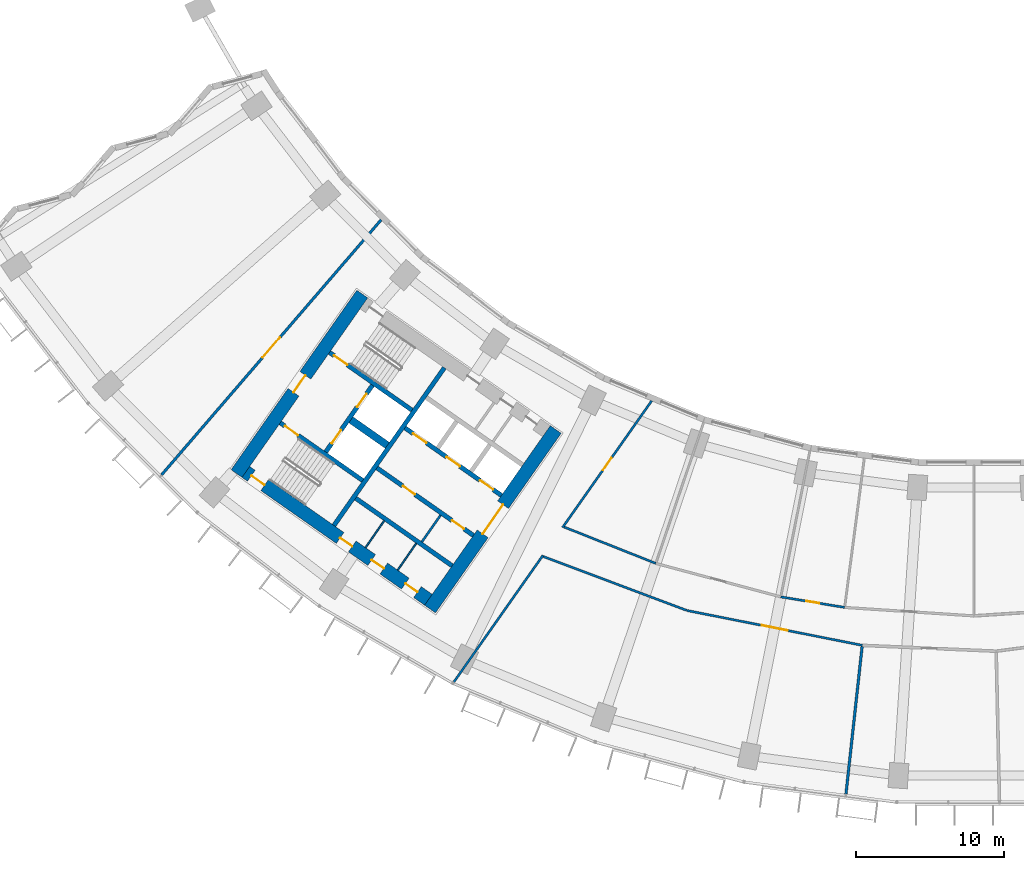
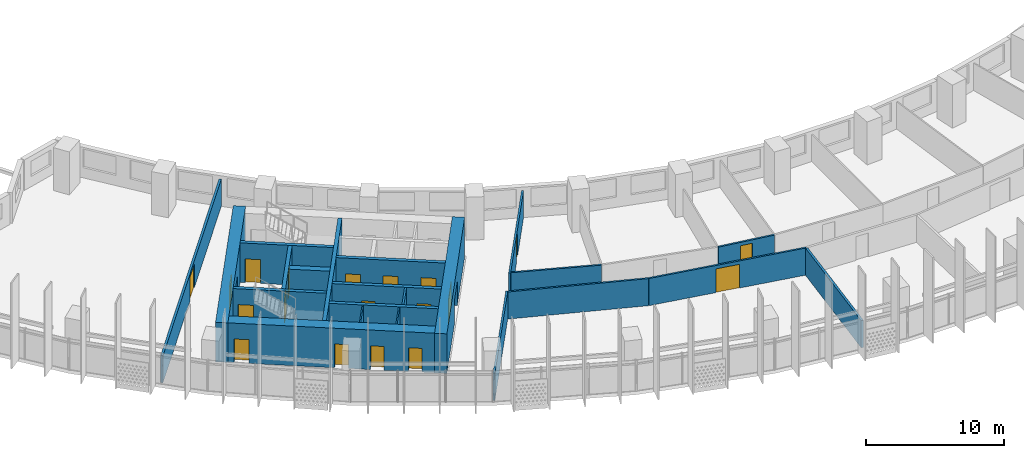
# One storey, part 3 of 31: 22 walls, 19 doors, 19 openings.
"""IFC4 building model written with IfcOpenShell, lengths in metres."""

from ifc_helpers import new_model, si_unit, direction, frame, frame_2d, origin, place, context, subcontext, project, spatial, rectangle, extrude, material, layer, layer_set, type_object, element, fill, save


model = new_model("IFC4")

# Units and contexts
model_context = context("Model", 3, precision=1e-05, world=origin(), true_north=direction((0.0, 1.0)))
body_context = subcontext(model_context, "Body", "Model", "MODEL_VIEW")
ifc_project = project(units=[si_unit("LENGTHUNIT", "METRE"), si_unit("AREAUNIT", "SQUARE_METRE"), si_unit("VOLUMEUNIT", "CUBIC_METRE"), si_unit("PLANEANGLEUNIT", "RADIAN"), si_unit("MASSUNIT", "GRAM", prefix="KILO")], contexts=[model_context])

# Site, building, storey
site_placement = place(None, origin())
site = spatial("IfcSite", under=ifc_project, at=site_placement, CompositionType="ELEMENT")
building_placement = place(site_placement, origin())
building = spatial("IfcBuilding", under=site, at=building_placement, Name="Qamariyya Broadcast Tower", CompositionType="ELEMENT")
storey_placement = place(building_placement, frame((0.0, 0.0, 55.699951171875)))
storey = spatial("IfcBuildingStorey", under=building, at=storey_placement, Name="L10", CompositionType="ELEMENT", Elevation=55.699951171875)

# Wall, opening, door
ifc_material_1 = material(Name="Concrete C70/85", Category="concrete")
ifc_layer_1 = layer(ifc_material_1, 0.89990234375)
ifc_layer_set_1 = layer_set([ifc_layer_1], Name="Core wall 900 mm Concrete C70/85")
wall_type_1 = type_object("IfcWallType", Name="Core wall 900 mm Concrete C70/85", PredefinedType="SHEAR", material=ifc_layer_set_1)
wall_1_placement = place(storey_placement, frame((-36.716796875, -66.3369140625, 0.0), z_axis=(0.0, 0.0, 1.0), x_axis=(0.573577477574, 0.819151315216, 0.0)))
wall_1 = element("IfcWall", 1, at=wall_1_placement, inside=storey, type_object=wall_type_1, Name="k-W-L10-WA", PredefinedType="SHEAR", context=body_context, shape_type="SweptSolid", body=[
    extrude(rectangle(XDim=14.800048828125, YDim=0.89990234375, at=frame_2d((7.39990234375, 0.0))), origin(), (0.0, 0.0, 1.0), 3.5),
])
opening_1_placement = place(wall_1_placement, frame((6.199951171875, 0.0, 0.0)))
opening_1 = element("IfcOpeningElement", 2, at=opening_1_placement, cuts=wall_1, Name="Opening KD3-W1", PredefinedType="OPENING", context=body_context, shape_type="SweptSolid", body=[
    extrude(rectangle(XDim=2.39990234375, YDim=2.10009765625, at=frame_2d((1.199951171875, 1.050048828125))), frame((0.0, 0.4599609375, 0.0), z_axis=(0.0, -1.0, 0.0), x_axis=(1.0, 0.0, 0.0)), (0.0, 0.0, 1.0), 0.919921875),
])
ifc_material_2 = material(Name="Steel fire-resisting door leaf", Category="steel")
door_type_1 = type_object("IfcDoorType", Name="Lift lobby door KD3", OperationType="DOUBLE_DOOR_SINGLE_SWING", PredefinedType="DOOR", material=ifc_material_2)
door_1_placement = place(opening_1_placement, origin())
door_1 = element("IfcDoor", 3, at=door_1_placement, inside=storey, type_object=door_type_1, Name="k-W-L10-WA-D1", OperationType="DOUBLE_DOOR_SINGLE_SWING", OverallHeight=2.10009765625, OverallWidth=2.39990234375, PredefinedType="DOOR", context=body_context, shape_type="SweptSolid", body=[
    extrude(rectangle(XDim=2.39990234375, YDim=2.10009765625, at=frame_2d((1.199951171875, 1.050048828125))), frame((0.0, 0.02490234375, 0.0), z_axis=(0.0, -1.0, 0.0), x_axis=(1.0, 0.0, 0.0)), (0.0, 0.0, 1.0), 0.050048828125),
])
fill(opening_1, door_1)

wall_2_placement = place(storey_placement, frame((-49.778564453125, -57.191162109375, 0.0), z_axis=(0.0, 0.0, 1.0), x_axis=(0.573577477574, 0.819151315216, 0.0)))
wall_2 = element("IfcWall", 4, at=wall_2_placement, inside=storey, type_object=wall_type_1, Name="k-W-L10-WH", PredefinedType="SHEAR", context=body_context, shape_type="SweptSolid", body=[
    extrude(rectangle(XDim=14.800048828125, YDim=0.89990234375, at=frame_2d((7.39990234375, 0.0))), origin(), (0.0, 0.0, 1.0), 3.5),
])
opening_2_placement = place(wall_2_placement, frame((6.699951171875, 0.0, 0.0)))
opening_2 = element("IfcOpeningElement", 5, at=opening_2_placement, cuts=wall_2, Name="Opening KD2-W1", PredefinedType="OPENING", context=body_context, shape_type="SweptSolid", body=[
    extrude(rectangle(XDim=1.39990234375, YDim=2.10009765625, at=frame_2d((0.699951171875, 1.050048828125))), frame((0.0, 0.4599609375, 0.0), z_axis=(0.0, -1.0, 0.0), x_axis=(1.0, 0.0, 0.0)), (0.0, 0.0, 1.0), 0.919921875),
])
door_type_2 = type_object("IfcDoorType", Name="Fire-fighting lobby door KD2", OperationType="DOUBLE_DOOR_SINGLE_SWING", PredefinedType="DOOR", material=ifc_material_2)
door_2_placement = place(opening_2_placement, origin())
door_2 = element("IfcDoor", 6, at=door_2_placement, inside=storey, type_object=door_type_2, Name="k-W-L10-WH-D15", OperationType="DOUBLE_DOOR_SINGLE_SWING", OverallHeight=2.10009765625, OverallWidth=1.39990234375, PredefinedType="DOOR", context=body_context, shape_type="SweptSolid", body=[
    extrude(rectangle(XDim=1.39990234375, YDim=2.10009765625, at=frame_2d((0.699951171875, 1.050048828125))), frame((0.0, 0.02490234375, 0.0), z_axis=(0.0, -1.0, 0.0), x_axis=(1.0, 0.0, 0.0)), (0.0, 0.0, 1.0), 0.050048828125),
])
fill(opening_2, door_2)

# Wall, openings, doors
wall_3_placement = place(storey_placement, frame((-36.827392578125, -65.710205078125, 0.0), z_axis=(0.0, 0.0, 1.0), x_axis=(-0.819153391756, 0.573574511963, 0.0)))
wall_3 = element("IfcWall", 7, at=wall_3_placement, inside=storey, type_object=wall_type_1, Name="k-W-L10-WO", PredefinedType="SHEAR", context=body_context, shape_type="SweptSolid", body=[
    extrude(rectangle(XDim=15.04541015625, YDim=0.89990234375, at=frame_2d((7.522705078125, 0.0))), origin(), (0.0, 0.0, 1.0), 3.5),
])
opening_3_placement = place(wall_3_placement, frame((0.89990234375, 0.0, 0.0)))
opening_3 = element("IfcOpeningElement", 8, at=opening_3_placement, cuts=wall_3, Name="Opening KD4-W2", PredefinedType="OPENING", context=body_context, shape_type="SweptSolid", body=[
    extrude(rectangle(XDim=1.0, YDim=2.10009765625, at=frame_2d((0.5, 1.050048828125))), frame((0.0, 0.4599609375, 0.0), z_axis=(0.0, -1.0, 0.0), x_axis=(1.0, 0.0, 0.0)), (0.0, 0.0, 1.0), 0.919921875),
])
opening_4_placement = place(wall_3_placement, frame((3.675048828125, 0.0, 0.0)))
opening_4 = element("IfcOpeningElement", 9, at=opening_4_placement, cuts=wall_3, Name="Opening KD4-W3", PredefinedType="OPENING", context=body_context, shape_type="SweptSolid", body=[
    extrude(rectangle(XDim=1.0, YDim=2.10009765625, at=frame_2d((0.5, 1.050048828125))), frame((0.0, 0.4599609375, 0.0), z_axis=(0.0, -1.0, 0.0), x_axis=(1.0, 0.0, 0.0)), (0.0, 0.0, 1.0), 0.919921875),
])
opening_5_placement = place(wall_3_placement, frame((6.27490234375, 0.0, 0.0)))
opening_5 = element("IfcOpeningElement", 10, at=opening_5_placement, cuts=wall_3, Name="Opening KD4-W4", PredefinedType="OPENING", context=body_context, shape_type="SweptSolid", body=[
    extrude(rectangle(XDim=1.0, YDim=2.10009765625, at=frame_2d((0.5, 1.050048828125))), frame((0.0, 0.4599609375, 0.0), z_axis=(0.0, -1.0, 0.0), x_axis=(1.0, 0.0, 0.0)), (0.0, 0.0, 1.0), 0.919921875),
])
opening_6_placement = place(wall_3_placement, frame((13.495361328125, 0.0, 0.0)))
opening_6 = element("IfcOpeningElement", 11, at=opening_6_placement, cuts=wall_3, Name="Opening KD1-W3", PredefinedType="OPENING", context=body_context, shape_type="SweptSolid", body=[
    extrude(rectangle(XDim=1.10009765625, YDim=2.10009765625, at=frame_2d((0.550048828125, 1.050048828125))), frame((0.0, 0.4599609375, 0.0), z_axis=(0.0, -1.0, 0.0), x_axis=(1.0, 0.0, 0.0)), (0.0, 0.0, 1.0), 0.919921875),
])
door_type_3 = type_object("IfcDoorType", Name="Riser and plant door KD4", OperationType="SINGLE_SWING_LEFT", PredefinedType="DOOR", material=ifc_material_2)
door_3_placement = place(opening_3_placement, origin())
door_3 = element("IfcDoor", 12, at=door_3_placement, inside=storey, type_object=door_type_3, Name="k-W-L10-WO-D10", OperationType="SINGLE_SWING_LEFT", OverallHeight=2.10009765625, OverallWidth=1.0, PredefinedType="DOOR", context=body_context, shape_type="SweptSolid", body=[
    extrude(rectangle(XDim=1.0, YDim=2.10009765625, at=frame_2d((0.5, 1.050048828125))), frame((0.0, 0.02490234375, 0.0), z_axis=(0.0, -1.0, 0.0), x_axis=(1.0, 0.0, 0.0)), (0.0, 0.0, 1.0), 0.050048828125),
])
fill(opening_3, door_3)
door_4_placement = place(opening_4_placement, origin())
door_4 = element("IfcDoor", 13, at=door_4_placement, inside=storey, type_object=door_type_3, Name="k-W-L10-WO-D11", OperationType="SINGLE_SWING_RIGHT", OverallHeight=2.10009765625, OverallWidth=1.0, PredefinedType="DOOR", context=body_context, shape_type="SweptSolid", body=[
    extrude(rectangle(XDim=1.0, YDim=2.10009765625, at=frame_2d((0.5, 1.050048828125))), frame((0.0, 0.02490234375, 0.0), z_axis=(0.0, -1.0, 0.0), x_axis=(1.0, 0.0, 0.0)), (0.0, 0.0, 1.0), 0.050048828125),
])
fill(opening_4, door_4)
door_5_placement = place(opening_5_placement, origin())
door_5 = element("IfcDoor", 14, at=door_5_placement, inside=storey, type_object=door_type_3, Name="k-W-L10-WO-D12", OperationType="SINGLE_SWING_LEFT", OverallHeight=2.10009765625, OverallWidth=1.0, PredefinedType="DOOR", context=body_context, shape_type="SweptSolid", body=[
    extrude(rectangle(XDim=1.0, YDim=2.10009765625, at=frame_2d((0.5, 1.050048828125))), frame((0.0, 0.02490234375, 0.0), z_axis=(0.0, -1.0, 0.0), x_axis=(1.0, 0.0, 0.0)), (0.0, 0.0, 1.0), 0.050048828125),
])
fill(opening_5, door_5)
door_type_4 = type_object("IfcDoorType", Name="Stair door KD1", OperationType="SINGLE_SWING_LEFT", PredefinedType="DOOR", material=ifc_material_2)
door_6_placement = place(opening_6_placement, origin())
door_6 = element("IfcDoor", 15, at=door_6_placement, inside=storey, type_object=door_type_4, Name="k-W-L10-WO-D18", OperationType="SINGLE_SWING_LEFT", OverallHeight=2.10009765625, OverallWidth=1.10009765625, PredefinedType="DOOR", context=body_context, shape_type="SweptSolid", body=[
    extrude(rectangle(XDim=1.10009765625, YDim=2.10009765625, at=frame_2d((0.550048828125, 1.050048828125))), frame((0.0, 0.02490234375, 0.0), z_axis=(0.0, -1.0, 0.0), x_axis=(1.0, 0.0, 0.0)), (0.0, 0.0, 1.0), 0.050048828125),
])
fill(opening_6, door_6)

# Walls
ifc_material_3 = material(Name="Gypsum board partition")
ifc_layer_2 = layer(ifc_material_3, 0.14990234375)
ifc_layer_set_2 = layer_set([ifc_layer_2], Name="Corridor partition 150 EI 60")
wall_type_2 = type_object("IfcWallType", Name="Corridor partition 150 EI 60", PredefinedType="PARTITIONING", material=ifc_layer_set_2)
wall_4_placement = place(storey_placement, frame((-29.087890625, -62.708251953125, 0.0), z_axis=(0.0, 0.0, 1.0), x_axis=(-0.575411972256, -0.817863718589, 0.0)))
element("IfcWall", 16, at=wall_4_placement, inside=storey, type_object=wall_type_2, Name="Partition L10-002", PredefinedType="PARTITIONING", context=body_context, shape_type="SweptSolid", body=[
    extrude(rectangle(XDim=10.471435546875, YDim=0.14990234375, at=frame_2d((5.23583984375, 0.0))), origin(), (0.0, 0.0, 1.0), 2.400146484375),
])
wall_5_placement = place(storey_placement, frame((-29.060791015625, -62.7958984375, 0.0), z_axis=(0.0, 0.0, 1.0), x_axis=(0.936221491251, -0.351410471272, 0.0)))
element("IfcWall", 17, at=wall_5_placement, inside=storey, type_object=wall_type_2, Name="Partition L10-003", PredefinedType="PARTITIONING", context=body_context, shape_type="SweptSolid", body=[
    extrude(rectangle(XDim=10.34619140625, YDim=0.14990234375, at=frame_2d((5.173095703125, 0.0))), origin(), (0.0, 0.0, 1.0), 2.400146484375),
])
wall_6_placement = place(storey_placement, frame((-27.6572265625, -60.801513671875, 0.0), z_axis=(0.0, 0.0, 1.0), x_axis=(0.929543215203, -0.368713182663, 0.0)))
element("IfcWall", 18, at=wall_6_placement, inside=storey, type_object=wall_type_2, Name="Partition L10-004", PredefinedType="PARTITIONING", context=body_context, shape_type="SweptSolid", body=[
    extrude(rectangle(XDim=6.65380859375, YDim=0.14990234375, at=frame_2d((3.326904296875, 0.0))), origin(), (0.0, 0.0, 1.0), 2.400146484375),
])

# Wall, opening, door
wall_7_placement = place(storey_placement, frame((-21.748291015625, -52.2763671875, 0.0), z_axis=(0.0, 0.0, 1.0), x_axis=(-0.575419434668, -0.817858468322, 0.0)))
wall_7 = element("IfcWall", 19, at=wall_7_placement, inside=storey, type_object=wall_type_2, Name="Partition L10-005", PredefinedType="PARTITIONING", context=body_context, shape_type="SweptSolid", body=[
    extrude(rectangle(XDim=10.46484375, YDim=0.14990234375, at=frame_2d((5.232421875, 0.0))), origin(), (0.0, 0.0, 1.0), 2.400146484375),
])
opening_7_placement = place(wall_7_placement, frame((4.732421875, 0.0, 0.0)))
opening_7 = element("IfcOpeningElement", 20, at=opening_7_placement, cuts=wall_7, Name="Opening L10-D05", PredefinedType="OPENING", context=body_context, shape_type="SweptSolid", body=[
    extrude(rectangle(XDim=1.0, YDim=2.10009765625, at=frame_2d((0.5, 1.050048828125))), frame((0.0, 0.0849609375, 0.0), z_axis=(0.0, -1.0, 0.0), x_axis=(1.0, 0.0, 0.0)), (0.0, 0.0, 1.0), 0.169921875),
])
ifc_material_4 = material(Name="Timber fire door leaf", Category="wood")
door_type_5 = type_object("IfcDoorType", Name="Fire door 1000 x 2100 FD60", OperationType="NOTDEFINED", PredefinedType="DOOR", material=ifc_material_4)
door_7_placement = place(opening_7_placement, origin())
door_7 = element("IfcDoor", 21, at=door_7_placement, inside=storey, type_object=door_type_5, Name="Door L10-D05", OperationType="SINGLE_SWING_RIGHT", OverallHeight=2.10009765625, OverallWidth=1.0, PredefinedType="DOOR", context=body_context, shape_type="SweptSolid", body=[
    extrude(rectangle(XDim=1.0, YDim=2.10009765625, at=frame_2d((0.5, 1.050048828125))), frame((0.0, 0.02490234375, 0.0), z_axis=(0.0, -1.0, 0.0), x_axis=(1.0, 0.0, 0.0)), (0.0, 0.0, 1.0), 0.050048828125),
])
fill(opening_7, door_7)

wall_8_placement = place(storey_placement, frame((-7.53173828125, -68.788818359375, 0.0), z_axis=(0.0, 0.0, 1.0), x_axis=(-0.980788063455, 0.195076330147, 0.0)))
wall_8 = element("IfcWall", 22, at=wall_8_placement, inside=storey, type_object=wall_type_2, Name="Partition L10-007", PredefinedType="PARTITIONING", context=body_context, shape_type="SweptSolid", body=[
    extrude(rectangle(XDim=12.05712890625, YDim=0.14990234375, at=frame_2d((6.028564453125, 0.0))), origin(), (0.0, 0.0, 1.0), 2.400146484375),
])
opening_8_placement = place(wall_8_placement, frame((5.12841796875, 0.0, 0.0)))
opening_8 = element("IfcOpeningElement", 23, at=opening_8_placement, cuts=wall_8, Name="Opening L10-D01", PredefinedType="OPENING", context=body_context, shape_type="SweptSolid", body=[
    extrude(rectangle(XDim=1.800048828125, YDim=2.10009765625, at=frame_2d((0.89990234375, 1.050048828125))), frame((0.0, 0.0849609375, 0.0), z_axis=(0.0, -1.0, 0.0), x_axis=(1.0, 0.0, 0.0)), (0.0, 0.0, 1.0), 0.169921875),
])
door_type_6 = type_object("IfcDoorType", Name="Double fire door 1800 x 2100 FD60", OperationType="NOTDEFINED", PredefinedType="DOOR", material=ifc_material_4)
door_8_placement = place(opening_8_placement, origin())
door_8 = element("IfcDoor", 24, at=door_8_placement, inside=storey, type_object=door_type_6, Name="Door L10-D01", OperationType="DOUBLE_DOOR_SINGLE_SWING", OverallHeight=2.10009765625, OverallWidth=1.800048828125, PredefinedType="DOOR", context=body_context, shape_type="SweptSolid", body=[
    extrude(rectangle(XDim=1.800048828125, YDim=2.10009765625, at=frame_2d((0.89990234375, 1.050048828125))), frame((0.0, 0.02490234375, 0.0), z_axis=(0.0, -1.0, 0.0), x_axis=(1.0, 0.0, 0.0)), (0.0, 0.0, 1.0), 0.050048828125),
])
fill(opening_8, door_8)

wall_9_placement = place(storey_placement, frame((-13.031982421875, -65.516357421875, 0.0), z_axis=(0.0, 0.0, 1.0), x_axis=(0.986638873051, -0.162922479065, 0.0)))
wall_9 = element("IfcWall", 25, at=wall_9_placement, inside=storey, type_object=wall_type_2, Name="Partition L10-009", PredefinedType="PARTITIONING", context=body_context, shape_type="SweptSolid", body=[
    extrude(rectangle(XDim=4.37109375, YDim=0.14990234375, at=frame_2d((2.185546875, 0.0))), origin(), (0.0, 0.0, 1.0), 2.400146484375),
])
opening_9_placement = place(wall_9_placement, frame((1.735595703125, 0.0, 0.0)))
opening_9 = element("IfcOpeningElement", 26, at=opening_9_placement, cuts=wall_9, Name="Opening L10-D07", PredefinedType="OPENING", context=body_context, shape_type="SweptSolid", body=[
    extrude(rectangle(XDim=0.89990234375, YDim=2.10009765625, at=frame_2d((0.449951171875, 1.050048828125))), frame((0.0, 0.0849609375, 0.0), z_axis=(0.0, -1.0, 0.0), x_axis=(1.0, 0.0, 0.0)), (0.0, 0.0, 1.0), 0.169921875),
])
door_type_7 = type_object("IfcDoorType", Name="Fire door 900 x 2100 FD60", OperationType="NOTDEFINED", PredefinedType="DOOR", material=ifc_material_4)
door_9_placement = place(opening_9_placement, origin())
door_9 = element("IfcDoor", 27, at=door_9_placement, inside=storey, type_object=door_type_7, Name="Door L10-D07", OperationType="SINGLE_SWING_RIGHT", OverallHeight=2.10009765625, OverallWidth=0.89990234375, PredefinedType="DOOR", context=body_context, shape_type="SweptSolid", body=[
    extrude(rectangle(XDim=0.89990234375, YDim=2.10009765625, at=frame_2d((0.449951171875, 1.050048828125))), frame((0.0, 0.02490234375, 0.0), z_axis=(0.0, -1.0, 0.0), x_axis=(1.0, 0.0, 0.0)), (0.0, 0.0, 1.0), 0.050048828125),
])
fill(opening_9, door_9)

# Walls
ifc_material_5 = material(Name="Concrete C60/75", Category="concrete")
ifc_layer_3 = layer(ifc_material_5, 0.5)
ifc_layer_set_3 = layer_set([ifc_layer_3], Name="Fire-fighting lobby divider wall 500 mm Concrete C60/75")
wall_type_3 = type_object("IfcWallType", Name="Fire-fighting lobby divider wall 500 mm Concrete C60/75", PredefinedType="SOLIDWALL", material=ifc_layer_set_3)
wall_10_placement = place(storey_placement, frame((-39.59912109375, -55.28515625, 0.0), z_axis=(0.0, 0.0, 1.0), x_axis=(-0.819136323161, 0.573598887793, 0.0)))
element("IfcWall", 28, at=wall_10_placement, inside=storey, type_object=wall_type_3, Name="k-W-L10-FD", PredefinedType="SOLIDWALL", context=body_context, shape_type="SweptSolid", body=[
    extrude(rectangle(XDim=2.999755859375, YDim=0.5, at=frame_2d((1.5, 0.0))), origin(), (0.0, 0.0, 1.0), 3.5),
])
ifc_material_6 = material(Name="Gypsum board partition on steel studs", Category="steel")
ifc_layer_4 = layer(ifc_material_6, 0.14990234375)
ifc_layer_set_4 = layer_set([ifc_layer_4], Name="Gypsum board partition 150 mm")
wall_type_4 = type_object("IfcWallType", Name="Gypsum board partition 150 mm", PredefinedType="PARTITIONING", material=ifc_layer_set_4)
wall_11_placement = place(storey_placement, frame((-36.003173828125, -60.000244140625, 0.0), z_axis=(0.0, 0.0, 1.0), x_axis=(-0.573581496053, -0.819148501424, 0.0)))
element("IfcWall", 29, at=wall_11_placement, inside=storey, type_object=wall_type_4, Name="k-W-L10-SC260", PredefinedType="PARTITIONING", context=body_context, shape_type="SweptSolid", body=[
    extrude(rectangle(XDim=2.2001953125, YDim=0.14990234375, at=frame_2d((1.10009765625, 0.0))), origin(), (0.0, 0.0, 1.0), 3.5),
])
ifc_layer_5 = layer(ifc_material_5, 0.300048828125)
ifc_layer_set_5 = layer_set([ifc_layer_5], Name="Lift shaft wall 300 mm Concrete C60/75")
wall_type_5 = type_object("IfcWallType", Name="Lift shaft wall 300 mm Concrete C60/75", PredefinedType="SOLIDWALL", material=ifc_layer_set_5)
wall_12_placement = place(storey_placement, frame((-43.204345703125, -60.69580078125, 0.0), z_axis=(0.0, 0.0, 1.0), x_axis=(0.573571992966, 0.819155155563, 0.0)))
element("IfcWall", 30, at=wall_12_placement, inside=storey, type_object=wall_type_5, Name="k-W-L10-WL", PredefinedType="SOLIDWALL", context=body_context, shape_type="SweptSolid", body=[
    extrude(rectangle(XDim=13.000244140625, YDim=0.300048828125, at=frame_2d((6.5, 0.0))), origin(), (0.0, 0.0, 1.0), 3.5),
])

# Wall, openings, doors
wall_13_placement = place(storey_placement, frame((-31.89453125, -58.66552734375, 0.0), z_axis=(0.0, 0.0, 1.0), x_axis=(-0.819166993208, 0.573555086491, 0.0)))
wall_13 = element("IfcWall", 31, at=wall_13_placement, inside=storey, type_object=wall_type_5, Name="k-W-L10-NF0", PredefinedType="SOLIDWALL", context=body_context, shape_type="SweptSolid", body=[
    extrude(rectangle(XDim=7.9501953125, YDim=0.300048828125, at=frame_2d((3.97509765625, 0.0))), origin(), (0.0, 0.0, 1.0), 3.5),
])
opening_10_placement = place(wall_13_placement, frame((0.675048828125, 0.0, 0.0)))
opening_10 = element("IfcOpeningElement", 32, at=opening_10_placement, cuts=wall_13, Name="Opening LD", PredefinedType="OPENING", context=body_context, shape_type="SweptSolid", body=[
    extrude(rectangle(XDim=1.10009765625, YDim=2.10009765625, at=frame_2d((0.550048828125, 1.050048828125))), frame((0.0, 0.159912109375, 0.0), z_axis=(0.0, -1.0, 0.0), x_axis=(1.0, 0.0, 0.0)), (0.0, 0.0, 1.0), 0.320068359375),
])
opening_11_placement = place(wall_13_placement, frame((3.425048828125, 0.0, 0.0)))
opening_11 = element("IfcOpeningElement", 33, at=opening_11_placement, cuts=wall_13, Name="Opening LD", PredefinedType="OPENING", context=body_context, shape_type="SweptSolid", body=[
    extrude(rectangle(XDim=1.10009765625, YDim=2.10009765625, at=frame_2d((0.550048828125, 1.050048828125))), frame((0.0, 0.159912109375, 0.0), z_axis=(0.0, -1.0, 0.0), x_axis=(1.0, 0.0, 0.0)), (0.0, 0.0, 1.0), 0.320068359375),
])
opening_12_placement = place(wall_13_placement, frame((6.175048828125, 0.0, 0.0)))
opening_12 = element("IfcOpeningElement", 34, at=opening_12_placement, cuts=wall_13, Name="Opening LD", PredefinedType="OPENING", context=body_context, shape_type="SweptSolid", body=[
    extrude(rectangle(XDim=1.10009765625, YDim=2.10009765625, at=frame_2d((0.550048828125, 1.050048828125))), frame((0.0, 0.159912109375, 0.0), z_axis=(0.0, -1.0, 0.0), x_axis=(1.0, 0.0, 0.0)), (0.0, 0.0, 1.0), 0.320068359375),
])
door_type_8 = type_object("IfcDoorType", Name="Lift landing door LD", OperationType="DOUBLE_DOOR_SLIDING", PredefinedType="DOOR", material=ifc_material_2)
door_10_placement = place(opening_10_placement, origin())
door_10 = element("IfcDoor", 35, at=door_10_placement, inside=storey, type_object=door_type_8, Name="k-W-L10-NF0-D2", OperationType="DOUBLE_DOOR_SLIDING", OverallHeight=2.10009765625, OverallWidth=1.10009765625, PredefinedType="DOOR", context=body_context, shape_type="SweptSolid", body=[
    extrude(rectangle(XDim=1.10009765625, YDim=2.10009765625, at=frame_2d((0.550048828125, 1.050048828125))), frame((0.0, 0.02490234375, 0.0), z_axis=(0.0, -1.0, 0.0), x_axis=(1.0, 0.0, 0.0)), (0.0, 0.0, 1.0), 0.050048828125),
])
fill(opening_10, door_10)
door_11_placement = place(opening_11_placement, origin())
door_11 = element("IfcDoor", 36, at=door_11_placement, inside=storey, type_object=door_type_8, Name="k-W-L10-NF0-D3", OperationType="DOUBLE_DOOR_SLIDING", OverallHeight=2.10009765625, OverallWidth=1.10009765625, PredefinedType="DOOR", context=body_context, shape_type="SweptSolid", body=[
    extrude(rectangle(XDim=1.10009765625, YDim=2.10009765625, at=frame_2d((0.550048828125, 1.050048828125))), frame((0.0, 0.02490234375, 0.0), z_axis=(0.0, -1.0, 0.0), x_axis=(1.0, 0.0, 0.0)), (0.0, 0.0, 1.0), 0.050048828125),
])
fill(opening_11, door_11)
door_12_placement = place(opening_12_placement, origin())
door_12 = element("IfcDoor", 37, at=door_12_placement, inside=storey, type_object=door_type_8, Name="k-W-L10-NF0-D4", OperationType="DOUBLE_DOOR_SLIDING", OverallHeight=2.10009765625, OverallWidth=1.10009765625, PredefinedType="DOOR", context=body_context, shape_type="SweptSolid", body=[
    extrude(rectangle(XDim=1.10009765625, YDim=2.10009765625, at=frame_2d((0.550048828125, 1.050048828125))), frame((0.0, 0.02490234375, 0.0), z_axis=(0.0, -1.0, 0.0), x_axis=(1.0, 0.0, 0.0)), (0.0, 0.0, 1.0), 0.050048828125),
])
fill(opening_12, door_12)

wall_14_placement = place(storey_placement, frame((-33.787353515625, -61.368896484375, 0.0), z_axis=(0.0, 0.0, 1.0), x_axis=(-0.819152564888, 0.573575692858, 0.0)))
wall_14 = element("IfcWall", 38, at=wall_14_placement, inside=storey, type_object=wall_type_5, Name="k-W-L10-SF0", PredefinedType="SOLIDWALL", context=body_context, shape_type="SweptSolid", body=[
    extrude(rectangle(XDim=7.9501953125, YDim=0.300048828125, at=frame_2d((3.97509765625, 0.0))), origin(), (0.0, 0.0, 1.0), 3.5),
])
opening_13_placement = place(wall_14_placement, frame((0.762451171875, 0.0, 0.0)))
opening_13 = element("IfcOpeningElement", 39, at=opening_13_placement, cuts=wall_14, Name="Opening KD4-W1", PredefinedType="OPENING", context=body_context, shape_type="SweptSolid", body=[
    extrude(rectangle(XDim=1.0, YDim=2.10009765625, at=frame_2d((0.5, 1.050048828125))), frame((0.0, 0.159912109375, 0.0), z_axis=(0.0, -1.0, 0.0), x_axis=(1.0, 0.0, 0.0)), (0.0, 0.0, 1.0), 0.320068359375),
])
opening_14_placement = place(wall_14_placement, frame((4.8125, 0.0, 0.0)))
opening_14 = element("IfcOpeningElement", 40, at=opening_14_placement, cuts=wall_14, Name="Opening KD6-W1", PredefinedType="OPENING", context=body_context, shape_type="SweptSolid", body=[
    extrude(rectangle(XDim=1.0, YDim=2.10009765625, at=frame_2d((0.5, 1.050048828125))), frame((0.0, 0.159912109375, 0.0), z_axis=(0.0, -1.0, 0.0), x_axis=(1.0, 0.0, 0.0)), (0.0, 0.0, 1.0), 0.320068359375),
])
door_type_9 = type_object("IfcDoorType", Name="Core room door KD6", OperationType="SINGLE_SWING_LEFT", PredefinedType="DOOR", material=ifc_material_2)
door_13_placement = place(opening_14_placement, origin())
door_13 = element("IfcDoor", 41, at=door_13_placement, inside=storey, type_object=door_type_9, Name="k-W-L10-SF0-D6", OperationType="SINGLE_SWING_LEFT", OverallHeight=2.10009765625, OverallWidth=1.0, PredefinedType="DOOR", context=body_context, shape_type="SweptSolid", body=[
    extrude(rectangle(XDim=1.0, YDim=2.10009765625, at=frame_2d((0.5, 1.050048828125))), frame((0.0, 0.02490234375, 0.0), z_axis=(0.0, -1.0, 0.0), x_axis=(1.0, 0.0, 0.0)), (0.0, 0.0, 1.0), 0.050048828125),
])
fill(opening_14, door_13)
door_14_placement = place(opening_13_placement, origin())
door_14 = element("IfcDoor", 42, at=door_14_placement, inside=storey, type_object=door_type_3, Name="k-W-L10-SF0-D5", OperationType="SINGLE_SWING_RIGHT", OverallHeight=2.10009765625, OverallWidth=1.0, PredefinedType="DOOR", context=body_context, shape_type="SweptSolid", body=[
    extrude(rectangle(XDim=1.0, YDim=2.10009765625, at=frame_2d((0.5, 1.050048828125))), frame((0.0, 0.02490234375, 0.0), z_axis=(0.0, -1.0, 0.0), x_axis=(1.0, 0.0, 0.0)), (0.0, 0.0, 1.0), 0.050048828125),
])
fill(opening_13, door_14)

# Wall
wall_15_placement = place(storey_placement, frame((-35.22119140625, -63.41650390625, 0.0), z_axis=(0.0, 0.0, 1.0), x_axis=(-0.819166993208, 0.573555086491, 0.0)))
element("IfcWall", 43, at=wall_15_placement, inside=storey, type_object=wall_type_5, Name="k-W-L10-SB0", PredefinedType="SOLIDWALL", context=body_context, shape_type="SweptSolid", body=[
    extrude(rectangle(XDim=7.9501953125, YDim=0.300048828125, at=frame_2d((3.97509765625, 0.0))), origin(), (0.0, 0.0, 1.0), 3.5),
])

# Wall, opening, door
wall_16_placement = place(storey_placement, frame((-37.935546875, -52.90966796875, 0.0), z_axis=(0.0, 0.0, 1.0), x_axis=(-0.819147518138, 0.57358290031, 0.0)))
wall_16 = element("IfcWall", 44, at=wall_16_placement, inside=storey, type_object=wall_type_5, Name="k-W-L10-NW", PredefinedType="SOLIDWALL", context=body_context, shape_type="SweptSolid", body=[
    extrude(rectangle(XDim=6.79541015625, YDim=0.300048828125, at=frame_2d((3.397705078125, 0.0))), origin(), (0.0, 0.0, 1.0), 3.5),
])
opening_15_placement = place(wall_16_placement, frame((5.3203125, 0.0, 0.0)))
opening_15 = element("IfcOpeningElement", 45, at=opening_15_placement, cuts=wall_16, Name="Opening KD1-W2", PredefinedType="OPENING", context=body_context, shape_type="SweptSolid", body=[
    extrude(rectangle(XDim=1.10009765625, YDim=2.10009765625, at=frame_2d((0.550048828125, 1.050048828125))), frame((0.0, 0.159912109375, 0.0), z_axis=(0.0, -1.0, 0.0), x_axis=(1.0, 0.0, 0.0)), (0.0, 0.0, 1.0), 0.320068359375),
])
door_15_placement = place(opening_15_placement, origin())
door_15 = element("IfcDoor", 46, at=door_15_placement, inside=storey, type_object=door_type_4, Name="k-W-L10-NW-D17", OperationType="SINGLE_SWING_RIGHT", OverallHeight=2.10009765625, OverallWidth=1.10009765625, PredefinedType="DOOR", context=body_context, shape_type="SweptSolid", body=[
    extrude(rectangle(XDim=1.10009765625, YDim=2.10009765625, at=frame_2d((0.550048828125, 1.050048828125))), frame((0.0, 0.02490234375, 0.0), z_axis=(0.0, -1.0, 0.0), x_axis=(1.0, 0.0, 0.0)), (0.0, 0.0, 1.0), 0.050048828125),
])
fill(opening_15, door_15)

wall_17_placement = place(storey_placement, frame((-41.262451171875, -57.66064453125, 0.0), z_axis=(0.0, 0.0, 1.0), x_axis=(-0.819164398642, 0.573558792102, 0.0)))
wall_17 = element("IfcWall", 47, at=wall_17_placement, inside=storey, type_object=wall_type_5, Name="k-W-L10-SW", PredefinedType="SOLIDWALL", context=body_context, shape_type="SweptSolid", body=[
    extrude(rectangle(XDim=6.795166015625, YDim=0.300048828125, at=frame_2d((3.3974609375, 0.0))), origin(), (0.0, 0.0, 1.0), 3.5),
])
opening_16_placement = place(wall_17_placement, frame((5.3203125, 0.0, 0.0)))
opening_16 = element("IfcOpeningElement", 48, at=opening_16_placement, cuts=wall_17, Name="Opening KD1-W4", PredefinedType="OPENING", context=body_context, shape_type="SweptSolid", body=[
    extrude(rectangle(XDim=1.10009765625, YDim=2.10009765625, at=frame_2d((0.550048828125, 1.050048828125))), frame((0.0, 0.159912109375, 0.0), z_axis=(0.0, -1.0, 0.0), x_axis=(1.0, 0.0, 0.0)), (0.0, 0.0, 1.0), 0.320068359375),
])
door_16_placement = place(opening_16_placement, origin())
door_16 = element("IfcDoor", 49, at=door_16_placement, inside=storey, type_object=door_type_4, Name="k-W-L10-SW-D19", OperationType="SINGLE_SWING_RIGHT", OverallHeight=2.10009765625, OverallWidth=1.10009765625, PredefinedType="DOOR", context=body_context, shape_type="SweptSolid", body=[
    extrude(rectangle(XDim=1.10009765625, YDim=2.10009765625, at=frame_2d((0.550048828125, 1.050048828125))), frame((0.0, 0.02490234375, 0.0), z_axis=(0.0, -1.0, 0.0), x_axis=(1.0, 0.0, 0.0)), (0.0, 0.0, 1.0), 0.050048828125),
])
fill(opening_16, door_16)

# Wall, openings, doors
wall_18_placement = place(storey_placement, frame((-43.756591796875, -55.731201171875, 0.0), z_axis=(0.0, 0.0, 1.0), x_axis=(0.573536818435, 0.819179783625, 0.0)))
wall_18 = element("IfcWall", 50, at=wall_18_placement, inside=storey, type_object=wall_type_5, Name="k-W-L10-FF", PredefinedType="SOLIDWALL", context=body_context, shape_type="SweptSolid", body=[
    extrude(rectangle(XDim=5.500244140625, YDim=0.300048828125, at=frame_2d((2.75, 0.0))), origin(), (0.0, 0.0, 1.0), 3.5),
])
opening_17_placement = place(wall_18_placement, frame((0.699951171875, 0.0, 0.0)))
opening_17 = element("IfcOpeningElement", 51, at=opening_17_placement, cuts=wall_18, Name="Opening LD", PredefinedType="OPENING", context=body_context, shape_type="SweptSolid", body=[
    extrude(rectangle(XDim=1.10009765625, YDim=2.10009765625, at=frame_2d((0.550048828125, 1.050048828125))), frame((0.0, 0.159912109375, 0.0), z_axis=(0.0, -1.0, 0.0), x_axis=(1.0, 0.0, 0.0)), (0.0, 0.0, 1.0), 0.320068359375),
])
opening_18_placement = place(wall_18_placement, frame((3.699951171875, 0.0, 0.0)))
opening_18 = element("IfcOpeningElement", 52, at=opening_18_placement, cuts=wall_18, Name="Opening LD", PredefinedType="OPENING", context=body_context, shape_type="SweptSolid", body=[
    extrude(rectangle(XDim=1.10009765625, YDim=2.10009765625, at=frame_2d((0.550048828125, 1.050048828125))), frame((0.0, 0.159912109375, 0.0), z_axis=(0.0, -1.0, 0.0), x_axis=(1.0, 0.0, 0.0)), (0.0, 0.0, 1.0), 0.320068359375),
])
door_17_placement = place(opening_17_placement, origin())
door_17 = element("IfcDoor", 53, at=door_17_placement, inside=storey, type_object=door_type_8, Name="k-W-L10-FF-D13", OperationType="DOUBLE_DOOR_SLIDING", OverallHeight=2.10009765625, OverallWidth=1.10009765625, PredefinedType="DOOR", context=body_context, shape_type="SweptSolid", body=[
    extrude(rectangle(XDim=1.10009765625, YDim=2.10009765625, at=frame_2d((0.550048828125, 1.050048828125))), frame((0.0, 0.02490234375, 0.0), z_axis=(0.0, -1.0, 0.0), x_axis=(1.0, 0.0, 0.0)), (0.0, 0.0, 1.0), 0.050048828125),
])
fill(opening_17, door_17)
door_18_placement = place(opening_18_placement, origin())
door_18 = element("IfcDoor", 54, at=door_18_placement, inside=storey, type_object=door_type_8, Name="k-W-L10-FF-D14", OperationType="DOUBLE_DOOR_SLIDING", OverallHeight=2.10009765625, OverallWidth=1.10009765625, PredefinedType="DOOR", context=body_context, shape_type="SweptSolid", body=[
    extrude(rectangle(XDim=1.10009765625, YDim=2.10009765625, at=frame_2d((0.550048828125, 1.050048828125))), frame((0.0, 0.02490234375, 0.0), z_axis=(0.0, -1.0, 0.0), x_axis=(1.0, 0.0, 0.0)), (0.0, 0.0, 1.0), 0.050048828125),
])
fill(opening_18, door_18)

# Walls
ifc_material_7 = material(Name="Fire-rated gypsum shaft liner on steel studs", Category="steel")
ifc_layer_6 = layer(ifc_material_7, 0.10009765625)
ifc_layer_set_6 = layer_set([ifc_layer_6], Name="Riser wall 100 mm")
wall_type_6 = type_object("IfcWallType", Name="Riser wall 100 mm", PredefinedType="PLUMBINGWALL", material=ifc_layer_set_6)
wall_19_placement = place(storey_placement, frame((-37.64208984375, -61.90478515625, 0.0), z_axis=(0.0, 0.0, 1.0), x_axis=(-0.573507030513, -0.819200638399, 0.0)))
element("IfcWall", 55, at=wall_19_placement, inside=storey, type_object=wall_type_6, Name="k-W-L10-SP285", PredefinedType="PLUMBINGWALL", context=body_context, shape_type="SweptSolid", body=[
    extrude(rectangle(XDim=2.199951171875, YDim=0.10009765625, at=frame_2d((1.10009765625, 0.0))), origin(), (0.0, 0.0, 1.0), 3.5),
])
wall_20_placement = place(storey_placement, frame((-39.812744140625, -60.384765625, 0.0), z_axis=(0.0, 0.0, 1.0), x_axis=(-0.573581496053, -0.819148501424, 0.0)))
element("IfcWall", 56, at=wall_20_placement, inside=storey, type_object=wall_type_6, Name="k-W-L10-SP550", PredefinedType="PLUMBINGWALL", context=body_context, shape_type="SweptSolid", body=[
    extrude(rectangle(XDim=2.2001953125, YDim=0.10009765625, at=frame_2d((1.10009765625, 0.0))), origin(), (0.0, 0.0, 1.0), 3.5),
])

# Wall, opening, door
ifc_layer_7 = layer(ifc_material_3, 0.179931640625)
ifc_layer_set_7 = layer_set([ifc_layer_7], Name="Studio acoustic partition 180 EI 60")
wall_type_7 = type_object("IfcWallType", Name="Studio acoustic partition 180 EI 60", PredefinedType="PARTITIONING", material=ifc_layer_set_7)
wall_21_placement = place(storey_placement, frame((-54.842041015625, -57.27685546875, 0.0), z_axis=(0.0, 0.0, 1.0), x_axis=(0.652471531746, 0.757813235739, 0.0)))
wall_21 = element("IfcWall", 57, at=wall_21_placement, inside=storey, type_object=wall_type_7, Name="Partition L10-001", PredefinedType="PARTITIONING", context=body_context, shape_type="SweptSolid", body=[
    extrude(rectangle(XDim=22.71484375, YDim=0.179931640625, at=frame_2d((11.357421875, 0.0))), origin(), (0.0, 0.0, 1.0), 2.400146484375),
])
opening_19_placement = place(wall_21_placement, frame((10.45751953125, 0.0, 0.0)))
opening_19 = element("IfcOpeningElement", 58, at=opening_19_placement, cuts=wall_21, Name="Opening L10-D12", PredefinedType="OPENING", context=body_context, shape_type="SweptSolid", body=[
    extrude(rectangle(XDim=1.800048828125, YDim=2.10009765625, at=frame_2d((0.89990234375, 1.050048828125))), frame((0.0, 0.099853515625, 0.0), z_axis=(0.0, -1.0, 0.0), x_axis=(1.0, 0.0, 0.0)), (0.0, 0.0, 1.0), 0.199951171875),
])
door_19_placement = place(opening_19_placement, origin())
door_19 = element("IfcDoor", 59, at=door_19_placement, inside=storey, type_object=door_type_6, Name="Door L10-D12", OperationType="DOUBLE_DOOR_SINGLE_SWING", OverallHeight=2.10009765625, OverallWidth=1.800048828125, PredefinedType="DOOR", context=body_context, shape_type="SweptSolid", body=[
    extrude(rectangle(XDim=1.800048828125, YDim=2.10009765625, at=frame_2d((0.89990234375, 1.050048828125))), frame((0.0, 0.02490234375, 0.0), z_axis=(0.0, -1.0, 0.0), x_axis=(1.0, 0.0, 0.0)), (0.0, 0.0, 1.0), 0.050048828125),
])
fill(opening_19, door_19)

# Wall
wall_22_placement = place(storey_placement, frame((-8.630859375, -78.827392578125, 0.0), z_axis=(0.0, 0.0, 1.0), x_axis=(0.108843726335, 0.994058873124, 0.0)))
element("IfcWall", 60, at=wall_22_placement, inside=storey, type_object=wall_type_7, Name="Partition L10-012", PredefinedType="PARTITIONING", context=body_context, shape_type="SweptSolid", body=[
    extrude(rectangle(XDim=10.008544921875, YDim=0.179931640625, at=frame_2d((5.00439453125, 0.0))), origin(), (0.0, 0.0, 1.0), 2.400146484375),
])

save(model, "model.ifc")
